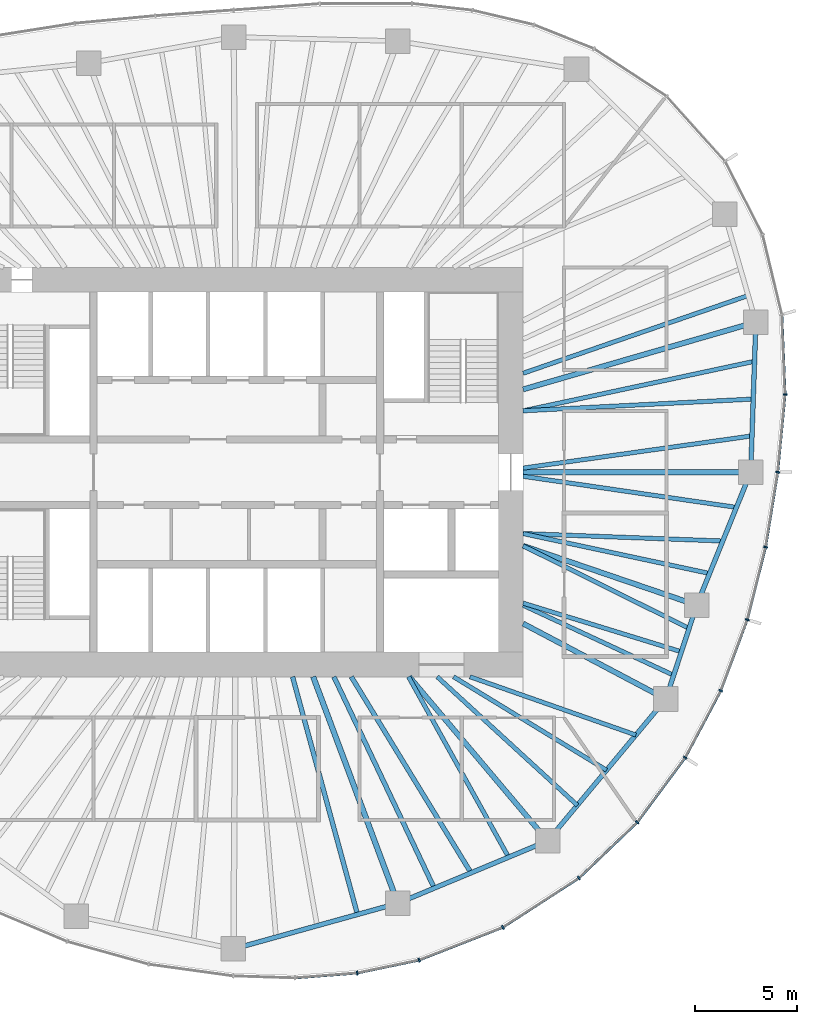
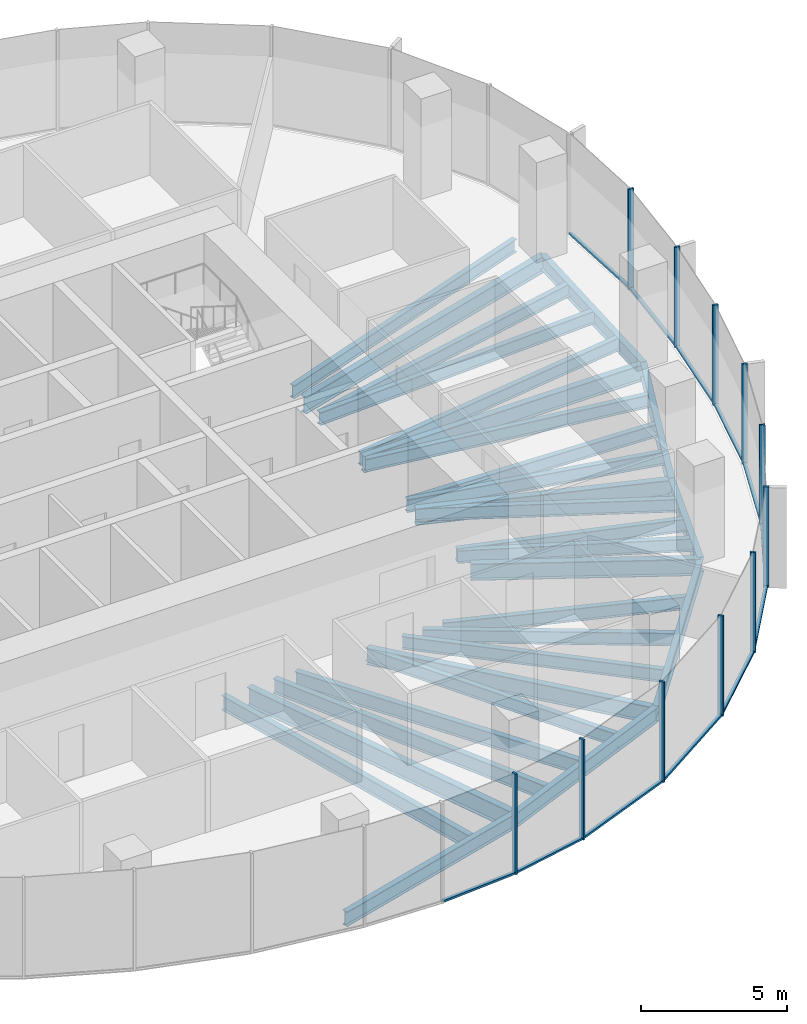
# One storey, part 4 of 12: 29 beams, 23 members, 6 elements without a shape of their own.
"""IFC4 building model written with IfcOpenShell, lengths in metres."""

from ifc_helpers import new_model, si_unit, direction, frame, origin, origin_2d, place, context, subcontext, project, spatial, rectangle, i_section, extrude, material, material_profile, profile_set, type_object, element, aggregate, save


model = new_model("IFC4")

# Units and contexts
model_context = context("Model", 3, precision=1e-05, world=origin(), true_north=direction((0.0, 1.0)))
body_context = subcontext(model_context, "Body", "Model", "MODEL_VIEW")
ifc_project = project(units=[si_unit("LENGTHUNIT", "METRE"), si_unit("AREAUNIT", "SQUARE_METRE"), si_unit("VOLUMEUNIT", "CUBIC_METRE"), si_unit("PLANEANGLEUNIT", "RADIAN"), si_unit("MASSUNIT", "GRAM", prefix="KILO")], contexts=[model_context])

# Site, building, storey
site_placement = place(None, origin())
site = spatial("IfcSite", under=ifc_project, at=site_placement, CompositionType="ELEMENT")
building_placement = place(site_placement, origin())
building = spatial("IfcBuilding", under=site, at=building_placement, Name="Ghaith Harvest Tower", CompositionType="ELEMENT")
storey_placement = place(building_placement, frame((0.0, 0.0, 249.39990234375)))
storey = spatial("IfcBuildingStorey", under=building, at=storey_placement, Name="L55", CompositionType="ELEMENT", Elevation=249.39990234375)

# Curtain wall, members
ifc_material_1 = material(Name="Black anodised aluminium and fritted glass", Category="aluminium")
curtain_wall_type = type_object("IfcCurtainWallType", Name="CW-H CURTAIN WALL", PredefinedType="NOTDEFINED", material=ifc_material_1)
curtain_wall_1_placement = place(storey_placement, origin())
curtain_wall_1 = element("IfcCurtainWall", 1, at=curtain_wall_1_placement, inside=storey, type_object=curtain_wall_type, Name="Curtain wall CW-H bay 01 L55", PredefinedType="NOTDEFINED")
ifc_material_2 = material(Name="Aluminium, black anodised", Category="aluminium")
ifc_material_profile_1 = material_profile(ifc_material_2, rectangle(XDim=0.080078125, YDim=0.199951171875, at=origin_2d()), Name="CW-H MULLION 80x200")
ifc_profile_set_1 = profile_set([ifc_material_profile_1], Name="Aluminium, black anodised")
member_type_1 = type_object("IfcMemberType", Name="CW-H MULLION 80x200", PredefinedType="MULLION", material=ifc_profile_set_1)
member_1_placement = place(storey_placement, frame((26.445068359375, 0.0, 0.0), z_axis=(0.0, 0.0, 1.0), x_axis=(0.126567624553, 0.991957981174, 0.0)))
member_1 = element("IfcMember", 2, at=member_1_placement, type_object=member_type_1, Name="CW-H mullion 1 bay 01 L55", PredefinedType="MULLION", context=body_context, shape_type="SweptSolid", body=[
    extrude(rectangle(XDim=0.080078125, YDim=0.199951171875, at=origin_2d()), origin(), (0.0, 0.0, 1.0), 4.2001953125),
])
member_2_placement = place(storey_placement, frame((26.804443359375, 3.7958984375, 0.0), z_axis=(0.0, 0.0, 1.0), x_axis=(0.026142797814, 0.999658218654, 0.0)))
member_2 = element("IfcMember", 3, at=member_2_placement, type_object=member_type_1, Name="CW-H mullion 2 bay 01 L55", PredefinedType="MULLION", context=body_context, shape_type="SweptSolid", body=[
    extrude(rectangle(XDim=0.080078125, YDim=0.199951171875, at=origin_2d()), origin(), (0.0, 0.0, 1.0), 4.2001953125),
])

# Curtain wall, member
curtain_wall_2_placement = place(storey_placement, origin())
curtain_wall_2 = element("IfcCurtainWall", 4, at=curtain_wall_2_placement, inside=storey, type_object=curtain_wall_type, Name="Curtain wall CW-H bay 16 L55", PredefinedType="NOTDEFINED")
member_3_placement = place(storey_placement, frame((5.893310546875, -24.48291015625, 0.0), z_axis=(0.0, 0.0, 1.0), x_axis=(0.989849191496, 0.142121701704, 0.0)))
member_3 = element("IfcMember", 5, at=member_3_placement, type_object=member_type_1, Name="CW-H mullion 3 bay 16 L55", PredefinedType="MULLION", context=body_context, shape_type="SweptSolid", body=[
    extrude(rectangle(XDim=0.080078125, YDim=0.199951171875, at=origin_2d()), origin(), (0.0, 0.0, 1.0), 4.2001953125),
])

# Curtain wall, members
curtain_wall_3_placement = place(storey_placement, origin())
curtain_wall_3 = element("IfcCurtainWall", 6, at=curtain_wall_3_placement, inside=storey, type_object=curtain_wall_type, Name="Curtain wall CW-H bay 17 L55", PredefinedType="NOTDEFINED")
member_4_placement = place(storey_placement, frame((8.916015625, -23.85009765625, 0.0), z_axis=(0.0, 0.0, 1.0), x_axis=(0.954029934434, 0.299711334793, 0.0)))
member_4 = element("IfcMember", 7, at=member_4_placement, type_object=member_type_1, Name="CW-H mullion 1 bay 17 L55", PredefinedType="MULLION", context=body_context, shape_type="SweptSolid", body=[
    extrude(rectangle(XDim=0.080078125, YDim=0.199951171875, at=origin_2d()), origin(), (0.0, 0.0, 1.0), 4.2001953125),
])
member_5_placement = place(storey_placement, frame((13.010009765625, -22.2470703125, 0.0), z_axis=(0.0, 0.0, 1.0), x_axis=(0.889568363425, 0.456802065225, 0.0)))
member_5 = element("IfcMember", 8, at=member_5_placement, type_object=member_type_1, Name="CW-H mullion 2 bay 17 L55", PredefinedType="MULLION", context=body_context, shape_type="SweptSolid", body=[
    extrude(rectangle(XDim=0.080078125, YDim=0.199951171875, at=origin_2d()), origin(), (0.0, 0.0, 1.0), 4.2001953125),
])

curtain_wall_4_placement = place(storey_placement, origin())
curtain_wall_4 = element("IfcCurtainWall", 9, at=curtain_wall_4_placement, inside=storey, type_object=curtain_wall_type, Name="Curtain wall CW-H bay 18 L55", PredefinedType="NOTDEFINED")
member_6_placement = place(storey_placement, frame((16.72900390625, -19.838134765625, 0.0), z_axis=(0.0, 0.0, 1.0), x_axis=(0.78784554071, 0.615872879727, 0.0)))
member_6 = element("IfcMember", 10, at=member_6_placement, type_object=member_type_1, Name="CW-H mullion 1 bay 18 L55", PredefinedType="MULLION", context=body_context, shape_type="SweptSolid", body=[
    extrude(rectangle(XDim=0.080078125, YDim=0.199951171875, at=origin_2d()), origin(), (0.0, 0.0, 1.0), 4.2001953125),
])
member_7_placement = place(storey_placement, frame((19.57421875, -17.11572265625, 0.0), z_axis=(0.0, 0.0, 1.0), x_axis=(0.661614965695, 0.749843741835, 0.0)))
member_7 = element("IfcMember", 11, at=member_7_placement, type_object=member_type_1, Name="CW-H mullion 2 bay 18 L55", PredefinedType="MULLION", context=body_context, shape_type="SweptSolid", body=[
    extrude(rectangle(XDim=0.080078125, YDim=0.199951171875, at=origin_2d()), origin(), (0.0, 0.0, 1.0), 4.2001953125),
])

curtain_wall_5_placement = place(storey_placement, origin())
curtain_wall_5 = element("IfcCurtainWall", 12, at=curtain_wall_5_placement, inside=storey, type_object=curtain_wall_type, Name="Curtain wall CW-H bay 19 L55", PredefinedType="NOTDEFINED")
member_8_placement = place(storey_placement, frame((21.922607421875, -13.951904296875, 0.0), z_axis=(0.0, 0.0, 1.0), x_axis=(0.535827198032, 0.844327669717, 0.0)))
member_8 = element("IfcMember", 13, at=member_8_placement, type_object=member_type_1, Name="CW-H mullion 1 bay 19 L55", PredefinedType="MULLION", context=body_context, shape_type="SweptSolid", body=[
    extrude(rectangle(XDim=0.080078125, YDim=0.199951171875, at=origin_2d()), origin(), (0.0, 0.0, 1.0), 4.2001953125),
])
member_9_placement = place(storey_placement, frame((23.658203125, -10.680419921875, 0.0), z_axis=(0.0, 0.0, 1.0), x_axis=(0.410429862351, 0.911892169114, 0.0)))
member_9 = element("IfcMember", 14, at=member_9_placement, type_object=member_type_1, Name="CW-H mullion 2 bay 19 L55", PredefinedType="MULLION", context=body_context, shape_type="SweptSolid", body=[
    extrude(rectangle(XDim=0.080078125, YDim=0.199951171875, at=origin_2d()), origin(), (0.0, 0.0, 1.0), 4.2001953125),
])

curtain_wall_6_placement = place(storey_placement, origin())
curtain_wall_6 = element("IfcCurtainWall", 15, at=curtain_wall_6_placement, inside=storey, type_object=curtain_wall_type, Name="Curtain wall CW-H bay 20 L55", PredefinedType="NOTDEFINED")
member_10_placement = place(storey_placement, frame((24.955810546875, -7.212890625, 0.0), z_axis=(0.0, 0.0, 1.0), x_axis=(0.298441625478, 0.954427889462, 0.0)))
member_10 = element("IfcMember", 16, at=member_10_placement, type_object=member_type_1, Name="CW-H mullion 1 bay 20 L55", PredefinedType="MULLION", context=body_context, shape_type="SweptSolid", body=[
    extrude(rectangle(XDim=0.080078125, YDim=0.199951171875, at=origin_2d()), origin(), (0.0, 0.0, 1.0), 4.2001953125),
])
member_11_placement = place(storey_placement, frame((25.85302734375, -3.6611328125, 0.0), z_axis=(0.0, 0.0, 1.0), x_axis=(0.202192370647, 0.979345825157, 0.0)))
member_11 = element("IfcMember", 17, at=member_11_placement, type_object=member_type_1, Name="CW-H mullion 2 bay 20 L55", PredefinedType="MULLION", context=body_context, shape_type="SweptSolid", body=[
    extrude(rectangle(XDim=0.080078125, YDim=0.199951171875, at=origin_2d()), origin(), (0.0, 0.0, 1.0), 4.2001953125),
])

# Member
ifc_material_3 = material(Name="Aluminium, black anodised", Category="aluminium")
ifc_material_profile_2 = material_profile(ifc_material_3, rectangle(XDim=0.1298828125, YDim=0.080078125, at=origin_2d()), Name="CW-H TRANSOM 130x80")
ifc_profile_set_2 = profile_set([ifc_material_profile_2], Name="Aluminium, black anodised")
member_type_2 = type_object("IfcMemberType", Name="CW-H TRANSOM 130x80", PredefinedType="USERDEFINED", material=ifc_profile_set_2)
member_12_placement = place(storey_placement, frame((26.44873046875, 0.039794921875, 0.0400390625), z_axis=(0.094309089207, 0.995542965267, 0.0), x_axis=(-0.995542965267, 0.094309089207, 0.0)))
member_12 = element("IfcMember", 18, at=member_12_placement, type_object=member_type_2, Name="CW-H transom 1 bay 01 L55", ObjectType="TRANSOM", PredefinedType="USERDEFINED", context=body_context, shape_type="SweptSolid", body=[
    extrude(rectangle(XDim=0.1298828125, YDim=0.080078125, at=origin_2d()), origin(), (0.0, 0.0, 1.0), 3.73291015625),
])

member_13_placement = place(storey_placement, frame((26.802978515625, 3.8359375, 0.0400390625), z_axis=(-0.040492641284, 0.999179836667, 0.0), x_axis=(-0.999179836667, -0.040492641284, 0.0)))
member_13 = element("IfcMember", 19, at=member_13_placement, type_object=member_type_2, Name="CW-H transom 2 bay 01 L55", ObjectType="TRANSOM", PredefinedType="USERDEFINED", context=body_context, shape_type="SweptSolid", body=[
    extrude(rectangle(XDim=0.1298828125, YDim=0.080078125, at=origin_2d()), origin(), (0.0, 0.0, 1.0), 3.82861328125),
])

aggregate(curtain_wall_1, [member_1, member_12, member_2, member_13])

member_14_placement = place(storey_placement, frame((2.8876953125, -24.71826171875, 0.0400390625), z_axis=(0.996949781933, 0.078045706505, 0.0), x_axis=(-0.078045706505, 0.996949781933, 0.0)))
member_14 = element("IfcMember", 20, at=member_14_placement, type_object=member_type_2, Name="CW-H transom 2 bay 16 L55", ObjectType="TRANSOM", PredefinedType="USERDEFINED", context=body_context, shape_type="SweptSolid", body=[
    extrude(rectangle(XDim=0.1298828125, YDim=0.080078125, at=origin_2d()), origin(), (0.0, 0.0, 1.0), 2.974853515625),
])

member_15_placement = place(storey_placement, frame((5.932373046875, -24.474609375, 0.0400390625), z_axis=(0.978797058213, 0.204832416461, 0.0), x_axis=(-0.204832416461, 0.978797058213, 0.0)))
member_15 = element("IfcMember", 21, at=member_15_placement, type_object=member_type_2, Name="CW-H transom 3 bay 16 L55", ObjectType="TRANSOM", PredefinedType="USERDEFINED", context=body_context, shape_type="SweptSolid", body=[
    extrude(rectangle(XDim=0.1298828125, YDim=0.080078125, at=origin_2d()), origin(), (0.0, 0.0, 1.0), 3.00830078125),
])

aggregate(curtain_wall_2, [member_14, member_3, member_15])

member_16_placement = place(storey_placement, frame((8.953369140625, -23.835693359375, 0.0400390625), z_axis=(0.931147615871, 0.364642451529, 0.0), x_axis=(-0.364642451529, 0.931147615871, 0.0)))
member_16 = element("IfcMember", 22, at=member_16_placement, type_object=member_type_2, Name="CW-H transom 1 bay 17 L55", ObjectType="TRANSOM", PredefinedType="USERDEFINED", context=body_context, shape_type="SweptSolid", body=[
    extrude(rectangle(XDim=0.1298828125, YDim=0.080078125, at=origin_2d()), origin(), (0.0, 0.0, 1.0), 4.31640625),
])

member_17_placement = place(storey_placement, frame((13.04345703125, -22.225341796875, 0.0400390625), z_axis=(0.839306610985, 0.543658360331, 0.0), x_axis=(-0.543658360331, 0.839306610985, 0.0)))
member_17 = element("IfcMember", 23, at=member_17_placement, type_object=member_type_2, Name="CW-H transom 2 bay 17 L55", ObjectType="TRANSOM", PredefinedType="USERDEFINED", context=body_context, shape_type="SweptSolid", body=[
    extrude(rectangle(XDim=0.1298828125, YDim=0.080078125, at=origin_2d()), origin(), (0.0, 0.0, 1.0), 4.35107421875),
])

aggregate(curtain_wall_3, [member_4, member_16, member_5, member_17])

member_18_placement = place(storey_placement, frame((16.7578125, -19.810546875, 0.0400390625), z_axis=(0.722533278657, 0.691336141998, 0.0), x_axis=(-0.691336141998, 0.722533278657, 0.0)))
member_18 = element("IfcMember", 24, at=member_18_placement, type_object=member_type_2, Name="CW-H transom 1 bay 18 L55", ObjectType="TRANSOM", PredefinedType="USERDEFINED", context=body_context, shape_type="SweptSolid", body=[
    extrude(rectangle(XDim=0.1298828125, YDim=0.080078125, at=origin_2d()), origin(), (0.0, 0.0, 1.0), 3.858154296875),
])

member_19_placement = place(storey_placement, frame((19.59814453125, -17.083740234375, 0.0400390625), z_axis=(0.595995597074, 0.802987701194, 0.0), x_axis=(-0.802987701194, 0.595995597074, 0.0)))
member_19 = element("IfcMember", 25, at=member_19_placement, type_object=member_type_2, Name="CW-H transom 2 bay 18 L55", ObjectType="TRANSOM", PredefinedType="USERDEFINED", context=body_context, shape_type="SweptSolid", body=[
    extrude(rectangle(XDim=0.1298828125, YDim=0.080078125, at=origin_2d()), origin(), (0.0, 0.0, 1.0), 3.8603515625),
])

aggregate(curtain_wall_4, [member_6, member_18, member_7, member_19])

member_20_placement = place(storey_placement, frame((21.94140625, -13.91650390625, 0.0400390625), z_axis=(0.468646057757, 0.883386026915, 0.0), x_axis=(-0.883386026915, 0.468646057757, 0.0)))
member_20 = element("IfcMember", 26, at=member_20_placement, type_object=member_type_2, Name="CW-H transom 1 bay 19 L55", ObjectType="TRANSOM", PredefinedType="USERDEFINED", context=body_context, shape_type="SweptSolid", body=[
    extrude(rectangle(XDim=0.1298828125, YDim=0.080078125, at=origin_2d()), origin(), (0.0, 0.0, 1.0), 3.623291015625),
])

member_21_placement = place(storey_placement, frame((23.672119140625, -10.64306640625, 0.0400390625), z_axis=(0.350510368091, 0.936558851253, 0.0), x_axis=(-0.936558851253, 0.350510368091, 0.0)))
member_21 = element("IfcMember", 27, at=member_21_placement, type_object=member_type_2, Name="CW-H transom 2 bay 19 L55", ObjectType="TRANSOM", PredefinedType="USERDEFINED", context=body_context, shape_type="SweptSolid", body=[
    extrude(rectangle(XDim=0.1298828125, YDim=0.080078125, at=origin_2d()), origin(), (0.0, 0.0, 1.0), 3.62255859375),
])

aggregate(curtain_wall_5, [member_8, member_20, member_9, member_21])

member_22_placement = place(storey_placement, frame((24.965576171875, -7.174072265625, 0.0400390625), z_axis=(0.244939588347, 0.969538342749, 0.0), x_axis=(-0.969538342749, 0.244939588347, 0.0)))
member_22 = element("IfcMember", 28, at=member_22_placement, type_object=member_type_2, Name="CW-H transom 1 bay 20 L55", ObjectType="TRANSOM", PredefinedType="USERDEFINED", context=body_context, shape_type="SweptSolid", body=[
    extrude(rectangle(XDim=0.1298828125, YDim=0.080078125, at=origin_2d()), origin(), (0.0, 0.0, 1.0), 3.583251953125),
])

member_23_placement = place(storey_placement, frame((25.859375, -3.62158203125, 0.0400390625), z_axis=(0.159661845696, 0.987171765717, 0.0), x_axis=(-0.987171765717, 0.159661845696, 0.0)))
member_23 = element("IfcMember", 29, at=member_23_placement, type_object=member_type_2, Name="CW-H transom 2 bay 20 L55", ObjectType="TRANSOM", PredefinedType="USERDEFINED", context=body_context, shape_type="SweptSolid", body=[
    extrude(rectangle(XDim=0.1298828125, YDim=0.080078125, at=origin_2d()), origin(), (0.0, 0.0, 1.0), 3.628662109375),
])

aggregate(curtain_wall_6, [member_10, member_22, member_11, member_23])

# Beams
ifc_material_4 = material(Name="Steel ASTM A992 Grade 50", Category="steel")
ifc_material_profile_3 = material_profile(ifc_material_4, i_section(OverallWidth=0.22900390625, OverallDepth=0.612060546875, WebThickness=0.011962890625, FlangeThickness=0.01953125, at=origin_2d()), Name="W610X125")
ifc_profile_set_3 = profile_set([ifc_material_profile_3], Name="Steel ASTM A992 Grade 50")
beam_type_1 = type_object("IfcBeamType", Name="E610-125 W610X125", PredefinedType="SPANDREL", material=ifc_profile_set_3)
beam_1_placement = place(storey_placement, frame((25.125, 0.0, -0.475830078125), z_axis=(0.03446227584, 0.999405999354, 0.0), x_axis=(-0.999405999354, 0.03446227584, 0.0)))
element("IfcBeam", 30, at=beam_1_placement, inside=storey, type_object=beam_type_1, Name="Edge beam E01 L55", PredefinedType="SPANDREL", context=body_context, shape_type="SweptSolid", body=[
    extrude(i_section(OverallWidth=0.22900390625, OverallDepth=0.612060546875, WebThickness=0.011962890625, FlangeThickness=0.01953125, at=origin_2d()), origin(), (0.0, 0.0, 1.0), 7.33935546875),
])
beam_2_placement = place(storey_placement, frame((-0.158935546875, -23.304931640625, -0.475830078125), z_axis=(0.963504070594, 0.267693679323, 0.0), x_axis=(-0.267693679323, 0.963504070594, 0.0)))
element("IfcBeam", 31, at=beam_2_placement, inside=storey, type_object=beam_type_1, Name="Edge beam E16 L55", PredefinedType="SPANDREL", context=body_context, shape_type="SweptSolid", body=[
    extrude(i_section(OverallWidth=0.22900390625, OverallDepth=0.612060546875, WebThickness=0.011962890625, FlangeThickness=0.01953125, at=origin_2d()), origin(), (0.0, 0.0, 1.0), 8.34130859375),
])
beam_3_placement = place(storey_placement, frame((7.8779296875, -21.072021484375, -0.475830078125), z_axis=(0.923119729219, 0.384512633766, 0.0), x_axis=(-0.384512633766, 0.923119729219, 0.0)))
element("IfcBeam", 32, at=beam_3_placement, inside=storey, type_object=beam_type_1, Name="Edge beam E17 L55", PredefinedType="SPANDREL", context=body_context, shape_type="SweptSolid", body=[
    extrude(i_section(OverallWidth=0.22900390625, OverallDepth=0.612060546875, WebThickness=0.011962890625, FlangeThickness=0.01953125, at=origin_2d()), origin(), (0.0, 0.0, 1.0), 7.9296875),
])
beam_4_placement = place(storey_placement, frame((15.197998046875, -18.02294921875, -0.475830078125), z_axis=(0.640173759088, 0.76823014662, 0.0), x_axis=(-0.76823014662, 0.640173759088, 0.0)))
element("IfcBeam", 33, at=beam_4_placement, inside=storey, type_object=beam_type_1, Name="Edge beam E18 L55", PredefinedType="SPANDREL", context=body_context, shape_type="SweptSolid", body=[
    extrude(i_section(OverallWidth=0.22900390625, OverallDepth=0.612060546875, WebThickness=0.011962890625, FlangeThickness=0.01953125, at=origin_2d()), origin(), (0.0, 0.0, 1.0), 9.02734375),
])
beam_5_placement = place(storey_placement, frame((20.97705078125, -11.087890625, -0.475830078125), z_axis=(0.312206727278, 0.950014189074, 0.0), x_axis=(-0.950014189074, 0.312206727278, 0.0)))
element("IfcBeam", 34, at=beam_5_placement, inside=storey, type_object=beam_type_1, Name="Edge beam E19 L55", PredefinedType="SPANDREL", context=body_context, shape_type="SweptSolid", body=[
    extrude(i_section(OverallWidth=0.22900390625, OverallDepth=0.612060546875, WebThickness=0.011962890625, FlangeThickness=0.01953125, at=origin_2d()), origin(), (0.0, 0.0, 1.0), 4.830322265625),
])
beam_6_placement = place(storey_placement, frame((22.485107421875, -6.4990234375, -0.475830078125), z_axis=(0.376335970246, 0.926483263475, 0.0), x_axis=(-0.926483263475, 0.376335970246, 0.0)))
element("IfcBeam", 35, at=beam_6_placement, inside=storey, type_object=beam_type_1, Name="Edge beam E20 L55", PredefinedType="SPANDREL", context=body_context, shape_type="SweptSolid", body=[
    extrude(i_section(OverallWidth=0.22900390625, OverallDepth=0.612060546875, WebThickness=0.011962890625, FlangeThickness=0.01953125, at=origin_2d()), origin(), (0.0, 0.0, 1.0), 7.0146484375),
])
ifc_material_5 = material(Name="Steel ASTM A992 Grade 50", Category="steel")
ifc_material_profile_4 = material_profile(ifc_material_5, i_section(OverallWidth=0.256103515625, OverallDepth=0.693115234375, WebThickness=0.014404296875, FlangeThickness=0.023681640625, at=origin_2d()), Name="W690X170")
ifc_profile_set_4 = profile_set([ifc_material_profile_4], Name="Steel ASTM A992 Grade 50")
beam_type_2 = type_object("IfcBeamType", Name="G690-170 W690X170", PredefinedType="BEAM", material=ifc_profile_set_4)
beam_7_placement = place(storey_placement, frame((14.0, 0.0, -0.516357421875), z_axis=(1.0, 0.0, 0.0), x_axis=(0.0, 1.0, 0.0)))
element("IfcBeam", 36, at=beam_7_placement, inside=storey, type_object=beam_type_2, Name="Radial girder G01 L55", PredefinedType="BEAM", context=body_context, shape_type="SweptSolid", body=[
    extrude(i_section(OverallWidth=0.256103515625, OverallDepth=0.693115234375, WebThickness=0.014404296875, FlangeThickness=0.023681640625, at=origin_2d()), origin(), (0.0, 0.0, 1.0), 11.125),
])
beam_8_placement = place(storey_placement, frame((14.0, 4.04638671875, -0.516357421875), z_axis=(0.960677776578, 0.277665643518, 0.0), x_axis=(-0.277665643518, 0.960677776578, 0.0)))
element("IfcBeam", 37, at=beam_8_placement, inside=storey, type_object=beam_type_2, Name="Radial girder G02 L55", PredefinedType="BEAM", context=body_context, shape_type="SweptSolid", body=[
    extrude(i_section(OverallWidth=0.256103515625, OverallDepth=0.693115234375, WebThickness=0.014404296875, FlangeThickness=0.023681640625, at=origin_2d()), origin(), (0.0, 0.0, 1.0), 11.84375),
])
beam_9_placement = place(storey_placement, frame((8.4326171875, -10.0, -0.516357421875), z_axis=(0.644649240595, -0.764478486682, 0.0), x_axis=(0.764478486682, 0.644649240595, 0.0)))
element("IfcBeam", 38, at=beam_9_placement, inside=storey, type_object=beam_type_2, Name="Radial girder G18 L55", PredefinedType="BEAM", context=body_context, shape_type="SweptSolid", body=[
    extrude(i_section(OverallWidth=0.256103515625, OverallDepth=0.693115234375, WebThickness=0.014404296875, FlangeThickness=0.023681640625, at=origin_2d()), origin(), (0.0, 0.0, 1.0), 10.49462890625),
])
beam_10_placement = place(storey_placement, frame((14.0, -7.39990234375, -0.516357421875), z_axis=(0.884088732293, -0.467319070264, 0.0), x_axis=(0.467319070264, 0.884088732293, 0.0)))
element("IfcBeam", 39, at=beam_10_placement, inside=storey, type_object=beam_type_2, Name="Radial girder G19 L55", PredefinedType="BEAM", context=body_context, shape_type="SweptSolid", body=[
    extrude(i_section(OverallWidth=0.256103515625, OverallDepth=0.693115234375, WebThickness=0.014404296875, FlangeThickness=0.023681640625, at=origin_2d()), origin(), (0.0, 0.0, 1.0), 7.891845703125),
])
beam_11_placement = place(storey_placement, frame((14.0, -3.60009765625, -0.516357421875), z_axis=(0.94629622913, -0.323300861018, 0.0), x_axis=(0.323300861018, 0.94629622913, 0.0)))
element("IfcBeam", 40, at=beam_11_placement, inside=storey, type_object=beam_type_2, Name="Radial girder G20 L55", PredefinedType="BEAM", context=body_context, shape_type="SweptSolid", body=[
    extrude(i_section(OverallWidth=0.256103515625, OverallDepth=0.693115234375, WebThickness=0.014404296875, FlangeThickness=0.023681640625, at=origin_2d()), origin(), (0.0, 0.0, 1.0), 8.966552734375),
])
ifc_material_6 = material(Name="Steel ASTM A992 Grade 50", Category="steel")
ifc_material_profile_5 = material_profile(ifc_material_6, i_section(OverallWidth=0.26806640625, OverallDepth=0.77001953125, WebThickness=0.015625, FlangeThickness=0.025390625, at=origin_2d()), Name="W760X196")
ifc_profile_set_5 = profile_set([ifc_material_profile_5], Name="Steel ASTM A992 Grade 50")
beam_type_3 = type_object("IfcBeamType", Name="G760-196 W760X196", PredefinedType="BEAM", material=ifc_profile_set_5)
beam_12_placement = place(storey_placement, frame((3.73828125, -10.0, -0.554931640625), z_axis=(0.350206582147, -0.936672488024, 0.0), x_axis=(0.936672488024, 0.350206582147, 0.0)))
element("IfcBeam", 41, at=beam_12_placement, inside=storey, type_object=beam_type_3, Name="Radial girder G17 L55", PredefinedType="BEAM", context=body_context, shape_type="SweptSolid", body=[
    extrude(i_section(OverallWidth=0.26806640625, OverallDepth=0.77001953125, WebThickness=0.015625, FlangeThickness=0.025390625, at=origin_2d()), origin(), (0.0, 0.0, 1.0), 11.820556640625),
])
ifc_material_7 = material(Name="Steel ASTM A992 Grade 50", Category="steel")
ifc_material_profile_6 = material_profile(ifc_material_7, i_section(OverallWidth=0.2109375, OverallDepth=0.5390625, WebThickness=0.01171875, FlangeThickness=0.018798828125, at=origin_2d()), Name="W530X109")
ifc_profile_set_6 = profile_set([ifc_material_profile_6], Name="Steel ASTM A992 Grade 50")
beam_type_4 = type_object("IfcBeamType", Name="J530-109 W530X109", PredefinedType="JOIST", material=ifc_profile_set_6)
beam_13_placement = place(storey_placement, frame((14.0, 0.199951171875, -0.439453125), z_axis=(0.990239574724, 0.139375696052, 0.0), x_axis=(-0.139375696052, 0.990239574724, 0.0)))
element("IfcBeam", 42, at=beam_13_placement, inside=storey, type_object=beam_type_4, Name="Joist J01.1 L55", PredefinedType="JOIST", context=body_context, shape_type="SweptSolid", body=[
    extrude(i_section(OverallWidth=0.2109375, OverallDepth=0.5390625, WebThickness=0.01171875, FlangeThickness=0.018798828125, at=origin_2d()), origin(), (0.0, 0.0, 1.0), 11.296630859375),
])
beam_14_placement = place(storey_placement, frame((14.0, 3.0, -0.439453125), z_axis=(0.998693995267, 0.051091132482, 0.0), x_axis=(-0.051091132482, 0.998693995267, 0.0)))
element("IfcBeam", 43, at=beam_14_placement, inside=storey, type_object=beam_type_4, Name="Joist J01.2 L55", PredefinedType="JOIST", context=body_context, shape_type="SweptSolid", body=[
    extrude(i_section(OverallWidth=0.2109375, OverallDepth=0.5390625, WebThickness=0.01171875, FlangeThickness=0.018798828125, at=origin_2d()), origin(), (0.0, 0.0, 1.0), 11.262939453125),
])
beam_15_placement = place(storey_placement, frame((14.0, 3.0, -0.439453125), z_axis=(0.977840076912, 0.209353251672, 0.0), x_axis=(-0.209353251672, 0.977840076912, 0.0)))
element("IfcBeam", 44, at=beam_15_placement, inside=storey, type_object=beam_type_4, Name="Joist J01.3 L55", PredefinedType="JOIST", context=body_context, shape_type="SweptSolid", body=[
    extrude(i_section(OverallWidth=0.2109375, OverallDepth=0.5390625, WebThickness=0.01171875, FlangeThickness=0.018798828125, at=origin_2d()), origin(), (0.0, 0.0, 1.0), 11.568359375),
])
beam_16_placement = place(storey_placement, frame((14.0, 4.835693359375, -0.439453125), z_axis=(0.945202328042, 0.326485159025, 0.0), x_axis=(-0.326485159025, 0.945202328042, 0.0)))
element("IfcBeam", 45, at=beam_16_placement, inside=storey, type_object=beam_type_4, Name="Joist J02.1 L55", PredefinedType="JOIST", context=body_context, shape_type="SweptSolid", body=[
    extrude(i_section(OverallWidth=0.2109375, OverallDepth=0.5390625, WebThickness=0.01171875, FlangeThickness=0.018798828125, at=origin_2d()), origin(), (0.0, 0.0, 1.0), 11.63916015625),
])
beam_17_placement = place(storey_placement, frame((8.39990234375, -10.0, -0.439453125), z_axis=(0.484919107871, -0.874559008199, 0.0), x_axis=(0.874559008199, 0.484919107871, 0.0)))
element("IfcBeam", 46, at=beam_17_placement, inside=storey, type_object=beam_type_4, Name="Joist J17.3 L55", PredefinedType="JOIST", context=body_context, shape_type="SweptSolid", body=[
    extrude(i_section(OverallWidth=0.2109375, OverallDepth=0.5390625, WebThickness=0.01171875, FlangeThickness=0.018798828125, at=origin_2d()), origin(), (0.0, 0.0, 1.0), 10.0830078125),
])
beam_18_placement = place(storey_placement, frame((9.800048828125, -10.0, -0.439453125), z_axis=(0.736998187228, -0.675894719629, 0.0), x_axis=(0.675894719629, 0.736998187228, 0.0)))
element("IfcBeam", 47, at=beam_18_placement, inside=storey, type_object=beam_type_4, Name="Joist J18.1 L55", PredefinedType="JOIST", context=body_context, shape_type="SweptSolid", body=[
    extrude(i_section(OverallWidth=0.2109375, OverallDepth=0.5390625, WebThickness=0.01171875, FlangeThickness=0.018798828125, at=origin_2d()), origin(), (0.0, 0.0, 1.0), 9.293701171875),
])
beam_19_placement = place(storey_placement, frame((14.0, -3.0, -0.439453125), z_axis=(0.977841497168, -0.209346617877, 0.0), x_axis=(0.209346617877, 0.977841497168, 0.0)))
element("IfcBeam", 48, at=beam_19_placement, inside=storey, type_object=beam_type_4, Name="Joist J20.1 L55", PredefinedType="JOIST", context=body_context, shape_type="SweptSolid", body=[
    extrude(i_section(OverallWidth=0.2109375, OverallDepth=0.5390625, WebThickness=0.01171875, FlangeThickness=0.018798828125, at=origin_2d()), origin(), (0.0, 0.0, 1.0), 9.3203125),
])
beam_20_placement = place(storey_placement, frame((14.0, -3.0, -0.439453125), z_axis=(0.999303105315, -0.037326983644, 0.0), x_axis=(0.037326983644, 0.999303105315, 0.0)))
element("IfcBeam", 49, at=beam_20_placement, inside=storey, type_object=beam_type_4, Name="Joist J20.2 L55", PredefinedType="JOIST", context=body_context, shape_type="SweptSolid", body=[
    extrude(i_section(OverallWidth=0.2109375, OverallDepth=0.5390625, WebThickness=0.01171875, FlangeThickness=0.018798828125, at=origin_2d()), origin(), (0.0, 0.0, 1.0), 9.76513671875),
])
beam_21_placement = place(storey_placement, frame((14.0, -0.199951171875, -0.439453125), z_axis=(0.989525259022, -0.144359834294, 0.0), x_axis=(0.144359834294, 0.989525259022, 0.0)))
element("IfcBeam", 50, at=beam_21_placement, inside=storey, type_object=beam_type_4, Name="Joist J20.3 L55", PredefinedType="JOIST", context=body_context, shape_type="SweptSolid", body=[
    extrude(i_section(OverallWidth=0.2109375, OverallDepth=0.5390625, WebThickness=0.01171875, FlangeThickness=0.018798828125, at=origin_2d()), origin(), (0.0, 0.0, 1.0), 10.5361328125),
])
ifc_material_8 = material(Name="Steel ASTM A992 Grade 50", Category="steel")
ifc_material_profile_7 = material_profile(ifc_material_8, i_section(OverallWidth=0.208984375, OverallDepth=0.532958984375, WebThickness=0.01025390625, FlangeThickness=0.015625, at=origin_2d()), Name="W530X92")
ifc_profile_set_7 = profile_set([ifc_material_profile_7], Name="Steel ASTM A992 Grade 50")
beam_type_5 = type_object("IfcBeamType", Name="J530-92 W530X92", PredefinedType="JOIST", material=ifc_profile_set_7)
beam_22_placement = place(storey_placement, frame((10.60009765625, -10.0, -0.4365234375), z_axis=(0.853467052113, -0.521146803654, 0.0), x_axis=(0.521146803654, 0.853467052113, 0.0)))
element("IfcBeam", 51, at=beam_22_placement, inside=storey, type_object=beam_type_5, Name="Joist J18.2 L55", PredefinedType="JOIST", context=body_context, shape_type="SweptSolid", body=[
    extrude(i_section(OverallWidth=0.208984375, OverallDepth=0.532958984375, WebThickness=0.01025390625, FlangeThickness=0.015625, at=origin_2d()), origin(), (0.0, 0.0, 1.0), 8.76220703125),
])
beam_23_placement = place(storey_placement, frame((11.39990234375, -10.0, -0.4365234375), z_axis=(0.943605274188, -0.331072630285, 0.0), x_axis=(0.331072630285, 0.943605274188, 0.0)))
element("IfcBeam", 52, at=beam_23_placement, inside=storey, type_object=beam_type_5, Name="Joist J18.3 L55", PredefinedType="JOIST", context=body_context, shape_type="SweptSolid", body=[
    extrude(i_section(OverallWidth=0.208984375, OverallDepth=0.532958984375, WebThickness=0.01025390625, FlangeThickness=0.015625, at=origin_2d()), origin(), (0.0, 0.0, 1.0), 8.596923828125),
])
beam_24_placement = place(storey_placement, frame((14.0, -6.506103515625, -0.4365234375), z_axis=(0.906865270415, -0.421420670251, 0.0), x_axis=(0.421420670251, 0.906865270415, 0.0)))
element("IfcBeam", 53, at=beam_24_placement, inside=storey, type_object=beam_type_5, Name="Joist J19.1 L55", PredefinedType="JOIST", context=body_context, shape_type="SweptSolid", body=[
    extrude(i_section(OverallWidth=0.208984375, OverallDepth=0.532958984375, WebThickness=0.01025390625, FlangeThickness=0.015625, at=origin_2d()), origin(), (0.0, 0.0, 1.0), 8.11474609375),
])
beam_25_placement = place(storey_placement, frame((14.0, -6.39990234375, -0.4365234375), z_axis=(0.955870927609, -0.293786946192, 0.0), x_axis=(0.293786946192, 0.955870927609, 0.0)))
element("IfcBeam", 54, at=beam_25_placement, inside=storey, type_object=beam_type_5, Name="Joist J19.2 L55", PredefinedType="JOIST", context=body_context, shape_type="SweptSolid", body=[
    extrude(i_section(OverallWidth=0.208984375, OverallDepth=0.532958984375, WebThickness=0.01025390625, FlangeThickness=0.015625, at=origin_2d()), origin(), (0.0, 0.0, 1.0), 8.09326171875),
])
beam_26_placement = place(storey_placement, frame((14.0, -3.60009765625, -0.4365234375), z_axis=(0.89523949078, -0.445585293909, 0.0), x_axis=(0.445585293909, 0.89523949078, 0.0)))
element("IfcBeam", 55, at=beam_26_placement, inside=storey, type_object=beam_type_5, Name="Joist J19.3 L55", PredefinedType="JOIST", context=body_context, shape_type="SweptSolid", body=[
    extrude(i_section(OverallWidth=0.208984375, OverallDepth=0.532958984375, WebThickness=0.01025390625, FlangeThickness=0.015625, at=origin_2d()), origin(), (0.0, 0.0, 1.0), 9.060302734375),
])
ifc_material_9 = material(Name="Steel ASTM A992 Grade 50", Category="steel")
ifc_material_profile_8 = material_profile(ifc_material_9, i_section(OverallWidth=0.22900390625, OverallDepth=0.612060546875, WebThickness=0.011962890625, FlangeThickness=0.01953125, at=origin_2d()), Name="W610X125")
ifc_profile_set_8 = profile_set([ifc_material_profile_8], Name="Steel ASTM A992 Grade 50")
beam_type_6 = type_object("IfcBeamType", Name="J610-125 W610X125", PredefinedType="JOIST", material=ifc_profile_set_8)
beam_27_placement = place(storey_placement, frame((2.73095703125, -10.0, -0.475830078125), z_axis=(0.263456947705, -0.964671154698, 0.0), x_axis=(0.964671154698, 0.263456947705, 0.0)))
element("IfcBeam", 56, at=beam_27_placement, inside=storey, type_object=beam_type_6, Name="Joist J16.3 L55", PredefinedType="JOIST", context=body_context, shape_type="SweptSolid", body=[
    extrude(i_section(OverallWidth=0.22900390625, OverallDepth=0.612060546875, WebThickness=0.011962890625, FlangeThickness=0.01953125, at=origin_2d()), origin(), (0.0, 0.0, 1.0), 12.0458984375),
])
beam_28_placement = place(storey_placement, frame((4.75, -10.0, -0.475830078125), z_axis=(0.429080762264, -0.90326612881, 0.0), x_axis=(0.90326612881, 0.429080762264, 0.0)))
element("IfcBeam", 57, at=beam_28_placement, inside=storey, type_object=beam_type_6, Name="Joist J17.1 L55", PredefinedType="JOIST", context=body_context, shape_type="SweptSolid", body=[
    extrude(i_section(OverallWidth=0.22900390625, OverallDepth=0.612060546875, WebThickness=0.011962890625, FlangeThickness=0.01953125, at=origin_2d()), origin(), (0.0, 0.0, 1.0), 11.437255859375),
])
beam_29_placement = place(storey_placement, frame((5.60009765625, -10.0, -0.475830078125), z_axis=(0.521165912119, -0.853455383746, 0.0), x_axis=(0.853455383746, 0.521165912119, 0.0)))
element("IfcBeam", 58, at=beam_29_placement, inside=storey, type_object=beam_type_6, Name="Joist J17.2 L55", PredefinedType="JOIST", context=body_context, shape_type="SweptSolid", body=[
    extrude(i_section(OverallWidth=0.22900390625, OverallDepth=0.612060546875, WebThickness=0.011962890625, FlangeThickness=0.01953125, at=origin_2d()), origin(), (0.0, 0.0, 1.0), 11.228759765625),
])

save(model, "model.ifc")
